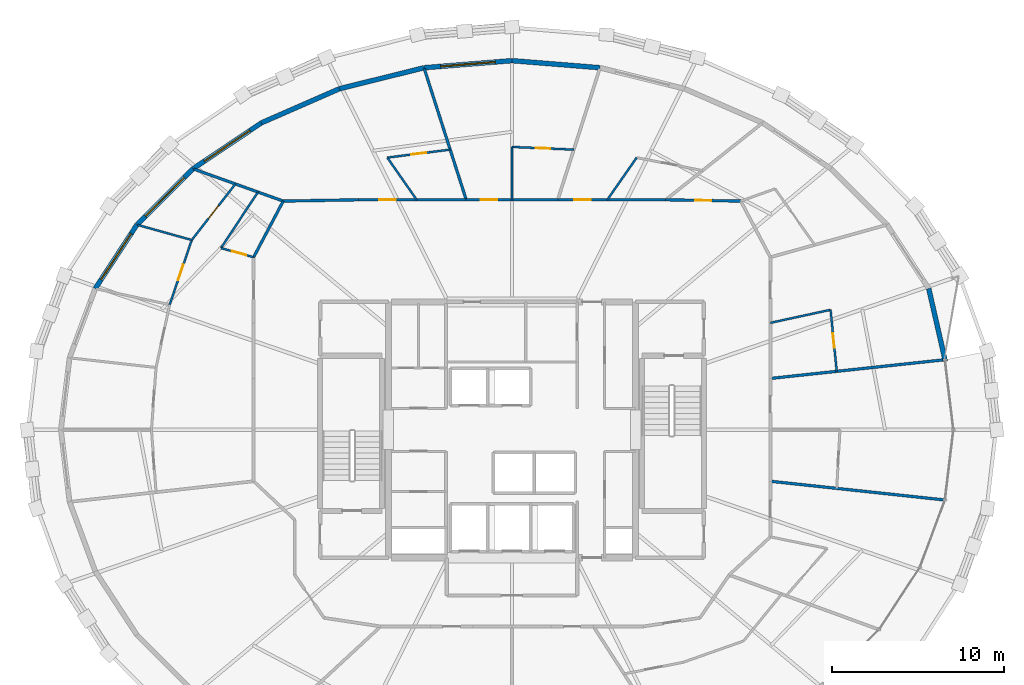
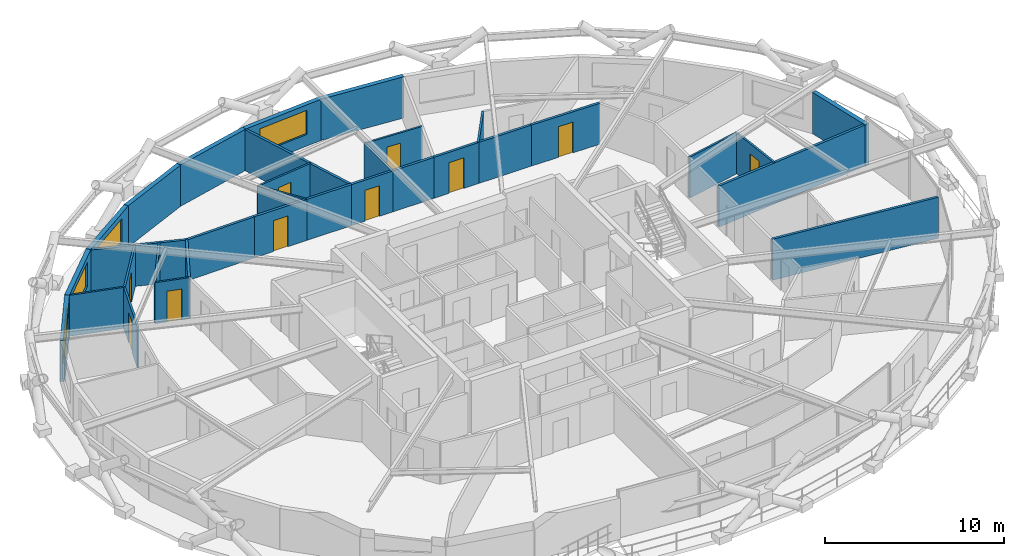
# One storey, part 17 of 19: 33 walls, 10 doors, 4 windows, 14 openings.
"""IFC4 building model written with IfcOpenShell, lengths in metres."""

from ifc_helpers import new_model, si_unit, direction, frame, frame_2d, origin, place, context, subcontext, project, spatial, rectangle, extrude, material, layer, layer_set, type_object, element, fill, save


model = new_model("IFC4")

# Units and contexts
model_context = context("Model", 3, precision=1e-05, world=origin(), true_north=direction((0.0, 1.0)))
body_context = subcontext(model_context, "Body", "Model", "MODEL_VIEW")
ifc_project = project(units=[si_unit("LENGTHUNIT", "METRE"), si_unit("AREAUNIT", "SQUARE_METRE"), si_unit("VOLUMEUNIT", "CUBIC_METRE"), si_unit("PLANEANGLEUNIT", "RADIAN"), si_unit("MASSUNIT", "GRAM", prefix="KILO")], contexts=[model_context])

# Site, building, storey
site_placement = place(None, origin())
site = spatial("IfcSite", under=ifc_project, at=site_placement, CompositionType="ELEMENT")
building_placement = place(site_placement, origin())
building = spatial("IfcBuilding", under=site, at=building_placement, Name="Veldorina Hangang Commons", CompositionType="ELEMENT")
storey_placement = place(building_placement, frame((0.0, 0.0, 156.800048828125)))
storey = spatial("IfcBuildingStorey", under=building, at=storey_placement, Name="L40", CompositionType="ELEMENT", Elevation=156.800048828125)

# Walls
ifc_material_1 = material(Name="Stone Roman Travertine", Category="masonry")
ifc_layer_1 = layer(ifc_material_1, 0.280029296875)
ifc_layer_set_1 = layer_set([ifc_layer_1], Name="Stone Roman Travertine")
wall_type_1 = type_object("IfcWallType", Name="EW-TRAV-280", PredefinedType="STANDARD", material=ifc_layer_set_1)
wall_1_placement = place(storey_placement, frame((57.2412109375, 27.996337890625, 0.0), z_axis=(0.0, 0.0, 1.0), x_axis=(-0.222546928421, 0.97492197875, 0.0)))
element("IfcWall", 1, at=wall_1_placement, inside=storey, type_object=wall_type_1, Name="L40 travertine facade wall 01", PredefinedType="STANDARD", context=body_context, shape_type="SweptSolid", body=[
    extrude(rectangle(XDim=4.342041015625, YDim=0.280029296875, at=frame_2d((2.1708984375, 0.0))), origin(), (0.0, 0.0, 1.0), 2.820068359375),
])
wall_2_placement = place(storey_placement, frame((37.1259765625, 45.09130859375, 0.0), z_axis=(0.0, 0.0, 1.0), x_axis=(-0.996768616091, 0.080326371615, 0.0)))
element("IfcWall", 2, at=wall_2_placement, inside=storey, type_object=wall_type_1, Name="L40 travertine facade wall 07", PredefinedType="STANDARD", context=body_context, shape_type="SweptSolid", body=[
    extrude(rectangle(XDim=5.142578125, YDim=0.280029296875, at=frame_2d((2.5712890625, 0.0))), origin(), (0.0, 0.0, 1.0), 2.820068359375),
])

# Wall, opening, window
wall_3_placement = place(storey_placement, frame((32.0, 45.50439453125, 0.0), z_axis=(0.0, 0.0, 1.0), x_axis=(-0.996768616091, -0.080326371615, 0.0)))
wall_3 = element("IfcWall", 3, at=wall_3_placement, inside=storey, type_object=wall_type_1, Name="L40 travertine facade wall 08", PredefinedType="STANDARD", context=body_context, shape_type="SweptSolid", body=[
    extrude(rectangle(XDim=5.142578125, YDim=0.280029296875, at=frame_2d((2.5712890625, 0.0))), origin(), (0.0, 0.0, 1.0), 2.820068359375),
])
opening_1_placement = place(wall_3_placement, frame((0.97119140625, 0.0, 0.800048828125)))
opening_1 = element("IfcOpeningElement", 4, at=opening_1_placement, cuts=wall_3, Name="Opening W-01", PredefinedType="OPENING", context=body_context, shape_type="SweptSolid", body=[
    extrude(rectangle(XDim=3.199951171875, YDim=1.64990234375, at=frame_2d((1.60009765625, 0.824951171875))), frame((0.0, 0.14990234375, 0.0), z_axis=(0.0, -1.0, 0.0), x_axis=(1.0, 0.0, 0.0)), (0.0, 0.0, 1.0), 0.300048828125),
])
ifc_material_2 = material(Name="Glass Low-E Triple IGU", Category="glass")
window_type = type_object("IfcWindowType", Name="WIN-TWR-3200", PartitioningType="SINGLE_PANEL", PredefinedType="WINDOW", material=ifc_material_2)
window_1_placement = place(opening_1_placement, origin())
window_1 = element("IfcWindow", 5, at=window_1_placement, inside=storey, type_object=window_type, Name="L40 facade window 08", OverallHeight=1.64990234375, OverallWidth=3.199951171875, PartitioningType="SINGLE_PANEL", PredefinedType="WINDOW", context=body_context, shape_type="SweptSolid", body=[
    extrude(rectangle(XDim=3.199951171875, YDim=1.64990234375, at=frame_2d((1.60009765625, 0.824951171875))), frame((0.0, 0.030029296875, 0.0), z_axis=(0.0, -1.0, 0.0), x_axis=(1.0, 0.0, 0.0)), (0.0, 0.0, 1.0), 0.06005859375),
])
fill(opening_1, window_1)

# Walls
wall_4_placement = place(storey_placement, frame((26.8740234375, 45.09130859375, 0.0), z_axis=(0.0, 0.0, 1.0), x_axis=(-0.970528667517, -0.240985695689, 0.0)))
element("IfcWall", 6, at=wall_4_placement, inside=storey, type_object=wall_type_1, Name="L40 travertine facade wall 09", PredefinedType="STANDARD", context=body_context, shape_type="SweptSolid", body=[
    extrude(rectangle(XDim=5.07861328125, YDim=0.280029296875, at=frame_2d((2.539306640625, 0.0))), origin(), (0.0, 0.0, 1.0), 2.820068359375),
])
wall_5_placement = place(storey_placement, frame((21.945068359375, 43.867431640625, 0.0), z_axis=(0.0, 0.0, 1.0), x_axis=(-0.916185584373, -0.400754257603, 0.0)))
element("IfcWall", 7, at=wall_5_placement, inside=storey, type_object=wall_type_1, Name="L40 travertine facade wall 10", PredefinedType="STANDARD", context=body_context, shape_type="SweptSolid", body=[
    extrude(rectangle(XDim=4.958251953125, YDim=0.280029296875, at=frame_2d((2.47900390625, 0.0))), origin(), (0.0, 0.0, 1.0), 2.820068359375),
])

# Wall, opening, window
wall_6_placement = place(storey_placement, frame((17.40234375, 41.88037109375, 0.0), z_axis=(0.0, 0.0, 1.0), x_axis=(-0.830095249601, -0.557621624931, 0.0)))
wall_6 = element("IfcWall", 8, at=wall_6_placement, inside=storey, type_object=wall_type_1, Name="L40 travertine facade wall 11", PredefinedType="STANDARD", context=body_context, shape_type="SweptSolid", body=[
    extrude(rectangle(XDim=4.79638671875, YDim=0.280029296875, at=frame_2d((2.398193359375, 0.0))), origin(), (0.0, 0.0, 1.0), 2.820068359375),
])
opening_2_placement = place(wall_6_placement, frame((0.798095703125, 0.0, 0.800048828125)))
opening_2 = element("IfcOpeningElement", 9, at=opening_2_placement, cuts=wall_6, Name="Opening W-01", PredefinedType="OPENING", context=body_context, shape_type="SweptSolid", body=[
    extrude(rectangle(XDim=3.199951171875, YDim=1.64990234375, at=frame_2d((1.60009765625, 0.824951171875))), frame((0.0, 0.14990234375, 0.0), z_axis=(0.0, -1.0, 0.0), x_axis=(1.0, 0.0, 0.0)), (0.0, 0.0, 1.0), 0.300048828125),
])
window_2_placement = place(opening_2_placement, origin())
window_2 = element("IfcWindow", 10, at=window_2_placement, inside=storey, type_object=window_type, Name="L40 facade window 11", OverallHeight=1.64990234375, OverallWidth=3.199951171875, PartitioningType="SINGLE_PANEL", PredefinedType="WINDOW", context=body_context, shape_type="SweptSolid", body=[
    extrude(rectangle(XDim=3.199951171875, YDim=1.64990234375, at=frame_2d((1.60009765625, 0.824951171875))), frame((0.0, 0.030029296875, 0.0), z_axis=(0.0, -1.0, 0.0), x_axis=(1.0, 0.0, 0.0)), (0.0, 0.0, 1.0), 0.06005859375),
])
fill(opening_2, window_2)

wall_7_placement = place(storey_placement, frame((13.4208984375, 39.205810546875, 0.0), z_axis=(0.0, 0.0, 1.0), x_axis=(-0.708084852303, -0.706127355326, 0.0)))
wall_7 = element("IfcWall", 11, at=wall_7_placement, inside=storey, type_object=wall_type_1, Name="L40 travertine facade wall 12", PredefinedType="STANDARD", context=body_context, shape_type="SweptSolid", body=[
    extrude(rectangle(XDim=4.61474609375, YDim=0.280029296875, at=frame_2d((2.307373046875, 0.0))), origin(), (0.0, 0.0, 1.0), 2.820068359375),
])
opening_3_placement = place(wall_7_placement, frame((0.70751953125, 0.0, 0.800048828125)))
opening_3 = element("IfcOpeningElement", 12, at=opening_3_placement, cuts=wall_7, Name="Opening W-01", PredefinedType="OPENING", context=body_context, shape_type="SweptSolid", body=[
    extrude(rectangle(XDim=3.199951171875, YDim=1.64990234375, at=frame_2d((1.60009765625, 0.824951171875))), frame((0.0, 0.14990234375, 0.0), z_axis=(0.0, -1.0, 0.0), x_axis=(1.0, 0.0, 0.0)), (0.0, 0.0, 1.0), 0.300048828125),
])
window_3_placement = place(opening_3_placement, origin())
window_3 = element("IfcWindow", 13, at=window_3_placement, inside=storey, type_object=window_type, Name="L40 facade window 12", OverallHeight=1.64990234375, OverallWidth=3.199951171875, PartitioningType="SINGLE_PANEL", PredefinedType="WINDOW", context=body_context, shape_type="SweptSolid", body=[
    extrude(rectangle(XDim=3.199951171875, YDim=1.64990234375, at=frame_2d((1.60009765625, 0.824951171875))), frame((0.0, 0.030029296875, 0.0), z_axis=(0.0, -1.0, 0.0), x_axis=(1.0, 0.0, 0.0)), (0.0, 0.0, 1.0), 0.06005859375),
])
fill(opening_3, window_3)

wall_8_placement = place(storey_placement, frame((10.1533203125, 35.947265625, 0.0), z_axis=(0.0, 0.0, 1.0), x_axis=(-0.546834521775, -0.83724070959, 0.0)))
wall_8 = element("IfcWall", 14, at=wall_8_placement, inside=storey, type_object=wall_type_1, Name="L40 travertine facade wall 13", PredefinedType="STANDARD", context=body_context, shape_type="SweptSolid", body=[
    extrude(rectangle(XDim=4.4404296875, YDim=0.280029296875, at=frame_2d((2.22021484375, 0.0))), origin(), (0.0, 0.0, 1.0), 2.820068359375),
])
opening_4_placement = place(wall_8_placement, frame((0.6201171875, 0.0, 0.800048828125)))
opening_4 = element("IfcOpeningElement", 15, at=opening_4_placement, cuts=wall_8, Name="Opening W-01", PredefinedType="OPENING", context=body_context, shape_type="SweptSolid", body=[
    extrude(rectangle(XDim=3.199951171875, YDim=1.64990234375, at=frame_2d((1.60009765625, 0.824951171875))), frame((0.0, 0.14990234375, 0.0), z_axis=(0.0, -1.0, 0.0), x_axis=(1.0, 0.0, 0.0)), (0.0, 0.0, 1.0), 0.300048828125),
])
window_4_placement = place(opening_4_placement, origin())
window_4 = element("IfcWindow", 16, at=window_4_placement, inside=storey, type_object=window_type, Name="L40 facade window 13", OverallHeight=1.64990234375, OverallWidth=3.199951171875, PartitioningType="SINGLE_PANEL", PredefinedType="WINDOW", context=body_context, shape_type="SweptSolid", body=[
    extrude(rectangle(XDim=3.199951171875, YDim=1.64990234375, at=frame_2d((1.60009765625, 0.824951171875))), frame((0.0, 0.030029296875, 0.0), z_axis=(0.0, -1.0, 0.0), x_axis=(1.0, 0.0, 0.0)), (0.0, 0.0, 1.0), 0.06005859375),
])
fill(opening_4, window_4)

# Wall, opening, door
ifc_material_3 = material(Name="Gypsum Fire-Rated Twin Stud Wall", Category="gypsum")
ifc_layer_2 = layer(ifc_material_3, 0.159912109375)
ifc_layer_set_2 = layer_set([ifc_layer_2], Name="Gypsum Fire-Rated Twin Stud Wall")
wall_type_2 = type_object("IfcWallType", Name="WL-FIRE-160", PredefinedType="SOLIDWALL", material=ifc_layer_set_2)
wall_9_placement = place(storey_placement, frame((45.324951171875, 37.324951171875, 0.0), z_axis=(0.0, 0.0, 1.0), x_axis=(-0.999853038912, 0.017143528788, 0.0)))
wall_9 = element("IfcWall", 17, at=wall_9_placement, inside=storey, type_object=wall_type_2, Name="L40 U-corridor outer wall 04 052", PredefinedType="SOLIDWALL", context=body_context, shape_type="SweptSolid", body=[
    extrude(rectangle(XDim=4.3720703125, YDim=0.159912109375, at=frame_2d((2.18603515625, 0.0))), origin(), (0.0, 0.0, 1.0), 2.800048828125),
])
opening_5_placement = place(wall_9_placement, frame((1.7109375, 0.0, 0.0)))
opening_5 = element("IfcOpeningElement", 18, at=opening_5_placement, cuts=wall_9, Name="Opening D-03", PredefinedType="OPENING", context=body_context, shape_type="SweptSolid", body=[
    extrude(rectangle(XDim=0.949951171875, YDim=2.10009765625, at=frame_2d((0.47509765625, 1.050048828125))), frame((0.0, 0.08984375, 0.0), z_axis=(0.0, -1.0, 0.0), x_axis=(1.0, 0.0, 0.0)), (0.0, 0.0, 1.0), 0.179931640625),
])
ifc_material_4 = material(Name="Timber Fire-Rated Entrance Core", Category="wood")
door_type_1 = type_object("IfcDoorType", Name="DR-UNIT-950", OperationType="SINGLE_SWING_RIGHT", PredefinedType="DOOR", material=ifc_material_4)
door_1_placement = place(opening_5_placement, origin())
door_1 = element("IfcDoor", 19, at=door_1_placement, inside=storey, type_object=door_type_1, Name="L40 Studio 5 entrance door 029", OperationType="SINGLE_SWING_LEFT", OverallHeight=2.10009765625, OverallWidth=0.949951171875, PredefinedType="DOOR", context=body_context, shape_type="SweptSolid", body=[
    extrude(rectangle(XDim=0.949951171875, YDim=2.10009765625, at=frame_2d((0.47509765625, 1.050048828125))), frame((0.0, 0.02490234375, 0.0), z_axis=(0.0, -1.0, 0.0), x_axis=(1.0, 0.0, 0.0)), (0.0, 0.0, 1.0), 0.050048828125),
])
fill(opening_5, door_1)

# Wall
wall_10_placement = place(storey_placement, frame((40.95361328125, 37.39990234375, 0.0), z_axis=(0.0, 0.0, 1.0), x_axis=(-1.0, 0.0, 0.0)))
element("IfcWall", 20, at=wall_10_placement, inside=storey, type_object=wall_type_2, Name="L40 U-corridor outer wall 05 053", PredefinedType="SOLIDWALL", context=body_context, shape_type="SweptSolid", body=[
    extrude(rectangle(XDim=3.403076171875, YDim=0.159912109375, at=frame_2d((1.70166015625, 0.0))), origin(), (0.0, 0.0, 1.0), 2.800048828125),
])

# Wall, opening, door
wall_11_placement = place(storey_placement, frame((37.550537109375, 37.39990234375, 0.0), z_axis=(0.0, 0.0, 1.0), x_axis=(-1.0, 0.0, 0.0)))
wall_11 = element("IfcWall", 21, at=wall_11_placement, inside=storey, type_object=wall_type_2, Name="L40 U-corridor outer wall 06 054", PredefinedType="SOLIDWALL", context=body_context, shape_type="SweptSolid", body=[
    extrude(rectangle(XDim=2.88525390625, YDim=0.159912109375, at=frame_2d((1.442626953125, 0.0))), origin(), (0.0, 0.0, 1.0), 2.800048828125),
])
opening_6_placement = place(wall_11_placement, frame((0.967529296875, 0.0, 0.0)))
opening_6 = element("IfcOpeningElement", 22, at=opening_6_placement, cuts=wall_11, Name="Opening D-03", PredefinedType="OPENING", context=body_context, shape_type="SweptSolid", body=[
    extrude(rectangle(XDim=0.949951171875, YDim=2.10009765625, at=frame_2d((0.47509765625, 1.050048828125))), frame((0.0, 0.08984375, 0.0), z_axis=(0.0, -1.0, 0.0), x_axis=(1.0, 0.0, 0.0)), (0.0, 0.0, 1.0), 0.179931640625),
])
door_2_placement = place(opening_6_placement, origin())
door_2 = element("IfcDoor", 23, at=door_2_placement, inside=storey, type_object=door_type_1, Name="L40 Studio 6 entrance door 031", OperationType="SINGLE_SWING_LEFT", OverallHeight=2.10009765625, OverallWidth=0.949951171875, PredefinedType="DOOR", context=body_context, shape_type="SweptSolid", body=[
    extrude(rectangle(XDim=0.949951171875, YDim=2.10009765625, at=frame_2d((0.47509765625, 1.050048828125))), frame((0.0, 0.02490234375, 0.0), z_axis=(0.0, -1.0, 0.0), x_axis=(1.0, 0.0, 0.0)), (0.0, 0.0, 1.0), 0.050048828125),
])
fill(opening_6, door_2)

# Wall
wall_12_placement = place(storey_placement, frame((34.665283203125, 37.39990234375, 0.0), z_axis=(0.0, 0.0, 1.0), x_axis=(-1.0, 0.0, 0.0)))
element("IfcWall", 24, at=wall_12_placement, inside=storey, type_object=wall_type_2, Name="L40 U-corridor outer wall 07 055", PredefinedType="SOLIDWALL", context=body_context, shape_type="SweptSolid", body=[
    extrude(rectangle(XDim=2.665283203125, YDim=0.159912109375, at=frame_2d((1.33251953125, 0.0))), origin(), (0.0, 0.0, 1.0), 2.800048828125),
])

# Wall, opening, door
wall_13_placement = place(storey_placement, frame((32.0, 37.39990234375, 0.0), z_axis=(0.0, 0.0, 1.0), x_axis=(-1.0, 0.0, 0.0)))
wall_13 = element("IfcWall", 25, at=wall_13_placement, inside=storey, type_object=wall_type_2, Name="L40 U-corridor outer wall 08 056", PredefinedType="SOLIDWALL", context=body_context, shape_type="SweptSolid", body=[
    extrude(rectangle(XDim=2.665283203125, YDim=0.159912109375, at=frame_2d((1.33251953125, 0.0))), origin(), (0.0, 0.0, 1.0), 2.800048828125),
])
opening_7_placement = place(wall_13_placement, frame((0.857666015625, 0.0, 0.0)))
opening_7 = element("IfcOpeningElement", 26, at=opening_7_placement, cuts=wall_13, Name="Opening D-03", PredefinedType="OPENING", context=body_context, shape_type="SweptSolid", body=[
    extrude(rectangle(XDim=0.949951171875, YDim=2.10009765625, at=frame_2d((0.47509765625, 1.050048828125))), frame((0.0, 0.08984375, 0.0), z_axis=(0.0, -1.0, 0.0), x_axis=(1.0, 0.0, 0.0)), (0.0, 0.0, 1.0), 0.179931640625),
])
door_3_placement = place(opening_7_placement, origin())
door_3 = element("IfcDoor", 27, at=door_3_placement, inside=storey, type_object=door_type_1, Name="L40 Studio 7 entrance door 033", OperationType="SINGLE_SWING_LEFT", OverallHeight=2.10009765625, OverallWidth=0.949951171875, PredefinedType="DOOR", context=body_context, shape_type="SweptSolid", body=[
    extrude(rectangle(XDim=0.949951171875, YDim=2.10009765625, at=frame_2d((0.47509765625, 1.050048828125))), frame((0.0, 0.02490234375, 0.0), z_axis=(0.0, -1.0, 0.0), x_axis=(1.0, 0.0, 0.0)), (0.0, 0.0, 1.0), 0.050048828125),
])
fill(opening_7, door_3)

# Wall
wall_14_placement = place(storey_placement, frame((29.334716796875, 37.39990234375, 0.0), z_axis=(0.0, 0.0, 1.0), x_axis=(-1.0, 0.0, 0.0)))
element("IfcWall", 28, at=wall_14_placement, inside=storey, type_object=wall_type_2, Name="L40 U-corridor outer wall 09 057", PredefinedType="SOLIDWALL", context=body_context, shape_type="SweptSolid", body=[
    extrude(rectangle(XDim=2.88525390625, YDim=0.159912109375, at=frame_2d((1.442626953125, 0.0))), origin(), (0.0, 0.0, 1.0), 2.800048828125),
])

# Wall, opening, door
wall_15_placement = place(storey_placement, frame((26.449462890625, 37.39990234375, 0.0), z_axis=(0.0, 0.0, 1.0), x_axis=(-1.0, 0.0, 0.0)))
wall_15 = element("IfcWall", 29, at=wall_15_placement, inside=storey, type_object=wall_type_2, Name="L40 U-corridor outer wall 10 058", PredefinedType="SOLIDWALL", context=body_context, shape_type="SweptSolid", body=[
    extrude(rectangle(XDim=3.403076171875, YDim=0.159912109375, at=frame_2d((1.70166015625, 0.0))), origin(), (0.0, 0.0, 1.0), 2.800048828125),
])
opening_8_placement = place(wall_15_placement, frame((1.2265625, 0.0, 0.0)))
opening_8 = element("IfcOpeningElement", 30, at=opening_8_placement, cuts=wall_15, Name="Opening D-03", PredefinedType="OPENING", context=body_context, shape_type="SweptSolid", body=[
    extrude(rectangle(XDim=0.949951171875, YDim=2.10009765625, at=frame_2d((0.47509765625, 1.050048828125))), frame((0.0, 0.08984375, 0.0), z_axis=(0.0, -1.0, 0.0), x_axis=(1.0, 0.0, 0.0)), (0.0, 0.0, 1.0), 0.179931640625),
])
door_4_placement = place(opening_8_placement, origin())
door_4 = element("IfcDoor", 31, at=door_4_placement, inside=storey, type_object=door_type_1, Name="L40 Studio 8 entrance door 035", OperationType="SINGLE_SWING_LEFT", OverallHeight=2.10009765625, OverallWidth=0.949951171875, PredefinedType="DOOR", context=body_context, shape_type="SweptSolid", body=[
    extrude(rectangle(XDim=0.949951171875, YDim=2.10009765625, at=frame_2d((0.47509765625, 1.050048828125))), frame((0.0, 0.02490234375, 0.0), z_axis=(0.0, -1.0, 0.0), x_axis=(1.0, 0.0, 0.0)), (0.0, 0.0, 1.0), 0.050048828125),
])
fill(opening_8, door_4)

# Walls
wall_16_placement = place(storey_placement, frame((23.04638671875, 37.39990234375, 0.0), z_axis=(0.0, 0.0, 1.0), x_axis=(-0.999853038912, -0.017143528788, 0.0)))
element("IfcWall", 32, at=wall_16_placement, inside=storey, type_object=wall_type_2, Name="L40 U-corridor outer wall 11 059", PredefinedType="SOLIDWALL", context=body_context, shape_type="SweptSolid", body=[
    extrude(rectangle(XDim=4.3720703125, YDim=0.159912109375, at=frame_2d((2.18603515625, 0.0))), origin(), (0.0, 0.0, 1.0), 2.800048828125),
])
wall_17_placement = place(storey_placement, frame((18.675048828125, 37.324951171875, 0.0), z_axis=(0.0, 0.0, 1.0), x_axis=(-0.466737093093, -0.884396113702, 0.0)))
element("IfcWall", 33, at=wall_17_placement, inside=storey, type_object=wall_type_2, Name="L40 U-corridor outer wall 12 060", PredefinedType="SOLIDWALL", context=body_context, shape_type="SweptSolid", body=[
    extrude(rectangle(XDim=3.696044921875, YDim=0.159912109375, at=frame_2d((1.84814453125, 0.0))), origin(), (0.0, 0.0, 1.0), 2.800048828125),
])
for number, where, z_axis, x_axis, name in (
    (34, (47.050048828125, 21.00634765625, 0.0), (0.0, 0.0, 1.0), (0.994280445997, -0.106800724287, 0.0), "L40 Unit party wall 31 087"),
    (35, (47.050048828125, 26.99365234375, 0.0), (0.0, 0.0, 1.0), (0.994280445997, 0.106800724287, 0.0), "L40 Unit party wall 01 090"),
):
    element("IfcWall", number, at=place(storey_placement, frame(where, z_axis=z_axis, x_axis=x_axis)), inside=storey, type_object=wall_type_2, Name=name, PredefinedType="SOLIDWALL", context=body_context, shape_type="SweptSolid", body=[
        extrude(rectangle(XDim=10.17919921875, YDim=0.159912109375, at=frame_2d((5.089599609375, 0.0))), origin(), (0.0, 0.0, 1.0), 2.800048828125),
    ])
wall_18_placement = place(storey_placement, frame((29.334716796875, 37.39990234375, 0.0), z_axis=(0.0, 0.0, 1.0), x_axis=(-0.304723848151, 0.952440746907, 0.0)))
element("IfcWall", 36, at=wall_18_placement, inside=storey, type_object=wall_type_2, Name="L40 Unit party wall 09 102", PredefinedType="SOLIDWALL", context=body_context, shape_type="SweptSolid", body=[
    extrude(rectangle(XDim=8.025390625, YDim=0.159912109375, at=frame_2d((4.0126953125, 0.0))), origin(), (0.0, 0.0, 1.0), 2.800048828125),
])
wall_19_placement = place(storey_placement, frame((18.675048828125, 37.324951171875, 0.0), z_axis=(0.0, 0.0, 1.0), x_axis=(-0.941491971832, 0.337035409084, 0.0)))
element("IfcWall", 37, at=wall_19_placement, inside=storey, type_object=wall_type_2, Name="L40 Unit party wall 12 105", PredefinedType="SOLIDWALL", context=body_context, shape_type="SweptSolid", body=[
    extrude(rectangle(XDim=5.530517578125, YDim=0.159912109375, at=frame_2d((2.76513671875, 0.0))), origin(), (0.0, 0.0, 1.0), 2.800048828125),
])

# Wall, opening, door
ifc_material_5 = material(Name="Gypsum Acoustic Stud Partition", Category="gypsum")
ifc_layer_3 = layer(ifc_material_5, 0.1201171875)
ifc_layer_set_3 = layer_set([ifc_layer_3], Name="Gypsum Acoustic Stud Partition")
wall_type_3 = type_object("IfcWallType", Name="WL-PART-120", PredefinedType="PARTITIONING", material=ifc_layer_set_3)
wall_20_placement = place(storey_placement, frame((50.914794921875, 27.40869140625, 0.0), z_axis=(0.0, 0.0, 1.0), x_axis=(-0.099785610451, 0.995008960737, 0.0)))
wall_20 = element("IfcWall", 38, at=wall_20_placement, inside=storey, type_object=wall_type_3, Name="L40 Studio 4 bath front wall 091", PredefinedType="PARTITIONING", context=body_context, shape_type="SweptSolid", body=[
    extrude(rectangle(XDim=3.6015625, YDim=0.1201171875, at=frame_2d((1.80078125, 0.0))), origin(), (0.0, 0.0, 1.0), 2.800048828125),
])
opening_9_placement = place(wall_20_placement, frame((1.370849609375, 0.0, 0.0)))
opening_9 = element("IfcOpeningElement", 39, at=opening_9_placement, cuts=wall_20, Name="Opening D-01", PredefinedType="OPENING", context=body_context, shape_type="SweptSolid", body=[
    extrude(rectangle(XDim=0.860107421875, YDim=2.10009765625, at=frame_2d((0.43017578125, 1.050048828125))), frame((0.0, 0.070068359375, 0.0), z_axis=(0.0, -1.0, 0.0), x_axis=(1.0, 0.0, 0.0)), (0.0, 0.0, 1.0), 0.14013671875),
])
ifc_material_6 = material(Name="Timber Moisture-Resistant Core", Category="wood")
door_type_2 = type_object("IfcDoorType", Name="DR-WET-860", OperationType="SINGLE_SWING_LEFT", PredefinedType="DOOR", material=ifc_material_6)
door_5_placement = place(opening_9_placement, origin())
door_5 = element("IfcDoor", 40, at=door_5_placement, inside=storey, type_object=door_type_2, Name="L40 Studio 4 bathroom door 026", OperationType="SINGLE_SWING_RIGHT", OverallHeight=2.10009765625, OverallWidth=0.860107421875, PredefinedType="DOOR", context=body_context, shape_type="SweptSolid", body=[
    extrude(rectangle(XDim=0.860107421875, YDim=2.10009765625, at=frame_2d((0.43017578125, 1.050048828125))), frame((0.0, 0.02490234375, 0.0), z_axis=(0.0, -1.0, 0.0), x_axis=(1.0, 0.0, 0.0)), (0.0, 0.0, 1.0), 0.050048828125),
])
fill(opening_9, door_5)

# Walls
wall_21_placement = place(storey_placement, frame((47.050048828125, 30.23388671875, 0.0), z_axis=(0.0, 0.0, 1.0), x_axis=(0.977392118343, 0.211434734613, 0.0)))
element("IfcWall", 41, at=wall_21_placement, inside=storey, type_object=wall_type_3, Name="L40 Studio 4 bath side wall 092", PredefinedType="PARTITIONING", context=body_context, shape_type="SweptSolid", body=[
    extrude(rectangle(XDim=3.58642578125, YDim=0.1201171875, at=frame_2d((1.793212890625, 0.0))), origin(), (0.0, 0.0, 1.0), 2.800048828125),
])
wall_22_placement = place(storey_placement, frame((37.550537109375, 37.39990234375, 0.0), z_axis=(0.0, 0.0, 1.0), x_axis=(0.571496694362, 0.820604367728, 0.0)))
element("IfcWall", 42, at=wall_22_placement, inside=storey, type_object=wall_type_3, Name="L40 Studio 6 bath side wall 098", PredefinedType="PARTITIONING", context=body_context, shape_type="SweptSolid", body=[
    extrude(rectangle(XDim=2.9951171875, YDim=0.1201171875, at=frame_2d((1.49755859375, 0.0))), origin(), (0.0, 0.0, 1.0), 2.800048828125),
])

# Wall, opening, door
wall_23_placement = place(storey_placement, frame((35.600341796875, 40.32275390625, 0.0), z_axis=(0.0, 0.0, 1.0), x_axis=(-0.999050782171, 0.043560700681, 0.0)))
wall_23 = element("IfcWall", 43, at=wall_23_placement, inside=storey, type_object=wall_type_3, Name="L40 Studio 7 bath front wall 100", PredefinedType="PARTITIONING", context=body_context, shape_type="SweptSolid", body=[
    extrude(rectangle(XDim=3.603759765625, YDim=0.1201171875, at=frame_2d((1.8017578125, 0.0))), origin(), (0.0, 0.0, 1.0), 2.800048828125),
])
opening_10_placement = place(wall_23_placement, frame((1.371826171875, 0.0, 0.0)))
opening_10 = element("IfcOpeningElement", 44, at=opening_10_placement, cuts=wall_23, Name="Opening D-01", PredefinedType="OPENING", context=body_context, shape_type="SweptSolid", body=[
    extrude(rectangle(XDim=0.860107421875, YDim=2.10009765625, at=frame_2d((0.43017578125, 1.050048828125))), frame((0.0, 0.070068359375, 0.0), z_axis=(0.0, -1.0, 0.0), x_axis=(1.0, 0.0, 0.0)), (0.0, 0.0, 1.0), 0.14013671875),
])
door_6_placement = place(opening_10_placement, origin())
door_6 = element("IfcDoor", 45, at=door_6_placement, inside=storey, type_object=door_type_2, Name="L40 Studio 7 bathroom door 032", OperationType="SINGLE_SWING_RIGHT", OverallHeight=2.10009765625, OverallWidth=0.860107421875, PredefinedType="DOOR", context=body_context, shape_type="SweptSolid", body=[
    extrude(rectangle(XDim=0.860107421875, YDim=2.10009765625, at=frame_2d((0.43017578125, 1.050048828125))), frame((0.0, 0.02490234375, 0.0), z_axis=(0.0, -1.0, 0.0), x_axis=(1.0, 0.0, 0.0)), (0.0, 0.0, 1.0), 0.050048828125),
])
fill(opening_10, door_6)

# Wall
wall_24_placement = place(storey_placement, frame((32.0, 37.39990234375, 0.0), z_axis=(0.0, 0.0, 1.0), x_axis=(0.0, 1.0, 0.0)))
element("IfcWall", 46, at=wall_24_placement, inside=storey, type_object=wall_type_3, Name="L40 Studio 7 bath side wall 101", PredefinedType="PARTITIONING", context=body_context, shape_type="SweptSolid", body=[
    extrude(rectangle(XDim=3.079833984375, YDim=0.1201171875, at=frame_2d((1.5400390625, 0.0))), origin(), (0.0, 0.0, 1.0), 2.800048828125),
])

# Wall, opening, door
wall_25_placement = place(storey_placement, frame((28.399658203125, 40.32275390625, 0.0), z_axis=(0.0, 0.0, 1.0), x_axis=(-0.9920307114, -0.125996300101, 0.0)))
wall_25 = element("IfcWall", 47, at=wall_25_placement, inside=storey, type_object=wall_type_3, Name="L40 Studio 8 bath front wall 103", PredefinedType="PARTITIONING", context=body_context, shape_type="SweptSolid", body=[
    extrude(rectangle(XDim=3.691162109375, YDim=0.1201171875, at=frame_2d((1.845703125, 0.0))), origin(), (0.0, 0.0, 1.0), 2.800048828125),
])
opening_11_placement = place(wall_25_placement, frame((1.41552734375, 0.0, 0.0)))
opening_11 = element("IfcOpeningElement", 48, at=opening_11_placement, cuts=wall_25, Name="Opening D-01", PredefinedType="OPENING", context=body_context, shape_type="SweptSolid", body=[
    extrude(rectangle(XDim=0.860107421875, YDim=2.10009765625, at=frame_2d((0.43017578125, 1.050048828125))), frame((0.0, 0.070068359375, 0.0), z_axis=(0.0, -1.0, 0.0), x_axis=(1.0, 0.0, 0.0)), (0.0, 0.0, 1.0), 0.14013671875),
])
door_7_placement = place(opening_11_placement, origin())
door_7 = element("IfcDoor", 49, at=door_7_placement, inside=storey, type_object=door_type_2, Name="L40 Studio 8 bathroom door 034", OperationType="SINGLE_SWING_RIGHT", OverallHeight=2.10009765625, OverallWidth=0.860107421875, PredefinedType="DOOR", context=body_context, shape_type="SweptSolid", body=[
    extrude(rectangle(XDim=0.860107421875, YDim=2.10009765625, at=frame_2d((0.43017578125, 1.050048828125))), frame((0.0, 0.02490234375, 0.0), z_axis=(0.0, -1.0, 0.0), x_axis=(1.0, 0.0, 0.0)), (0.0, 0.0, 1.0), 0.050048828125),
])
fill(opening_11, door_7)

# Walls
wall_26_placement = place(storey_placement, frame((26.449462890625, 37.39990234375, 0.0), z_axis=(0.0, 0.0, 1.0), x_axis=(-0.571496694362, 0.820604367728, 0.0)))
element("IfcWall", 50, at=wall_26_placement, inside=storey, type_object=wall_type_3, Name="L40 Studio 8 bath side wall 104", PredefinedType="PARTITIONING", context=body_context, shape_type="SweptSolid", body=[
    extrude(rectangle(XDim=2.9951171875, YDim=0.1201171875, at=frame_2d((1.49755859375, 0.0))), origin(), (0.0, 0.0, 1.0), 2.800048828125),
])
wall_27_placement = place(storey_placement, frame((17.203857421875, 37.851806640625, 0.0), z_axis=(0.0, 0.0, 1.0), x_axis=(-0.551082022109, -0.834451079997, 0.0)))
element("IfcWall", 51, at=wall_27_placement, inside=storey, type_object=wall_type_3, Name="L40 Cluster 9 bath front wall 106", PredefinedType="PARTITIONING", context=body_context, shape_type="SweptSolid", body=[
    extrude(rectangle(XDim=3.9140625, YDim=0.1201171875, at=frame_2d((1.95703125, 0.0))), origin(), (0.0, 0.0, 1.0), 2.800048828125),
])

# Wall, opening, door
wall_28_placement = place(storey_placement, frame((16.949951171875, 34.05615234375, 0.0), z_axis=(0.0, 0.0, 1.0), x_axis=(-0.963399180879, 0.268070920247, 0.0)))
wall_28 = element("IfcWall", 52, at=wall_28_placement, inside=storey, type_object=wall_type_3, Name="L40 Cluster 9 bath side wall 107", PredefinedType="PARTITIONING", context=body_context, shape_type="SweptSolid", body=[
    extrude(rectangle(XDim=1.975341796875, YDim=0.1201171875, at=frame_2d((0.98779296875, 0.0))), origin(), (0.0, 0.0, 1.0), 2.800048828125),
])
opening_12_placement = place(wall_28_placement, frame((0.43994140625, 0.0, 0.0)))
opening_12 = element("IfcOpeningElement", 53, at=opening_12_placement, cuts=wall_28, Name="Opening D-01", PredefinedType="OPENING", context=body_context, shape_type="SweptSolid", body=[
    extrude(rectangle(XDim=0.860107421875, YDim=2.10009765625, at=frame_2d((0.43017578125, 1.050048828125))), frame((0.0, 0.070068359375, 0.0), z_axis=(0.0, -1.0, 0.0), x_axis=(1.0, 0.0, 0.0)), (0.0, 0.0, 1.0), 0.14013671875),
])
door_8_placement = place(opening_12_placement, origin())
door_8 = element("IfcDoor", 54, at=door_8_placement, inside=storey, type_object=door_type_2, Name="L40 Cluster 9 shared bathroom door 036", OperationType="SINGLE_SWING_RIGHT", OverallHeight=2.10009765625, OverallWidth=0.860107421875, PredefinedType="DOOR", context=body_context, shape_type="SweptSolid", body=[
    extrude(rectangle(XDim=0.860107421875, YDim=2.10009765625, at=frame_2d((0.43017578125, 1.050048828125))), frame((0.0, 0.02490234375, 0.0), z_axis=(0.0, -1.0, 0.0), x_axis=(1.0, 0.0, 0.0)), (0.0, 0.0, 1.0), 0.050048828125),
])
fill(opening_12, door_8)

wall_29_placement = place(storey_placement, frame((15.890380859375, 38.322021484375, 0.0), z_axis=(0.0, 0.0, 1.0), x_axis=(-0.614589970431, -0.788846733051, 0.0)))
wall_29 = element("IfcWall", 55, at=wall_29_placement, inside=storey, type_object=wall_type_3, Name="L40 Cluster 9 bed 1 front wall 108", PredefinedType="PARTITIONING", context=body_context, shape_type="SweptSolid", body=[
    extrude(rectangle(XDim=4.13720703125, YDim=0.1201171875, at=frame_2d((2.068603515625, 0.0))), origin(), (0.0, 0.0, 1.0), 2.800048828125),
])
opening_13_placement = place(wall_29_placement, frame((1.593505859375, 0.0, 0.0)))
opening_13 = element("IfcOpeningElement", 56, at=opening_13_placement, cuts=wall_29, Name="Opening D-02", PredefinedType="OPENING", context=body_context, shape_type="SweptSolid", body=[
    extrude(rectangle(XDim=0.949951171875, YDim=2.10009765625, at=frame_2d((0.47509765625, 1.050048828125))), frame((0.0, 0.070068359375, 0.0), z_axis=(0.0, -1.0, 0.0), x_axis=(1.0, 0.0, 0.0)), (0.0, 0.0, 1.0), 0.14013671875),
])
ifc_material_7 = material(Name="Timber Solid Core Acoustic", Category="wood")
door_type_3 = type_object("IfcDoorType", Name="DR-INT-950", OperationType="SINGLE_SWING_LEFT", PredefinedType="DOOR", material=ifc_material_7)
door_9_placement = place(opening_13_placement, origin())
door_9 = element("IfcDoor", 57, at=door_9_placement, inside=storey, type_object=door_type_3, Name="L40 Cluster 9 bed 1 door 038", OperationType="SINGLE_SWING_RIGHT", OverallHeight=2.10009765625, OverallWidth=0.949951171875, PredefinedType="DOOR", context=body_context, shape_type="SweptSolid", body=[
    extrude(rectangle(XDim=0.949951171875, YDim=2.10009765625, at=frame_2d((0.47509765625, 1.050048828125))), frame((0.0, 0.02490234375, 0.0), z_axis=(0.0, -1.0, 0.0), x_axis=(1.0, 0.0, 0.0)), (0.0, 0.0, 1.0), 0.050048828125),
])
fill(opening_13, door_9)

wall_30_placement = place(storey_placement, frame((13.34765625, 35.058349609375, 0.0), z_axis=(0.0, 0.0, 1.0), x_axis=(-0.323284519491, -0.946301812033, 0.0)))
wall_30 = element("IfcWall", 58, at=wall_30_placement, inside=storey, type_object=wall_type_3, Name="L40 Cluster 9 bed 2 front wall 109", PredefinedType="PARTITIONING", context=body_context, shape_type="SweptSolid", body=[
    extrude(rectangle(XDim=3.980712890625, YDim=0.1201171875, at=frame_2d((1.990234375, 0.0))), origin(), (0.0, 0.0, 1.0), 2.800048828125),
])
opening_14_placement = place(wall_30_placement, frame((1.515380859375, 0.0, 0.0)))
opening_14 = element("IfcOpeningElement", 59, at=opening_14_placement, cuts=wall_30, Name="Opening D-02", PredefinedType="OPENING", context=body_context, shape_type="SweptSolid", body=[
    extrude(rectangle(XDim=0.949951171875, YDim=2.10009765625, at=frame_2d((0.47509765625, 1.050048828125))), frame((0.0, 0.070068359375, 0.0), z_axis=(0.0, -1.0, 0.0), x_axis=(1.0, 0.0, 0.0)), (0.0, 0.0, 1.0), 0.14013671875),
])
door_10_placement = place(opening_14_placement, origin())
door_10 = element("IfcDoor", 60, at=door_10_placement, inside=storey, type_object=door_type_3, Name="L40 Cluster 9 bed 2 door 039", OperationType="SINGLE_SWING_LEFT", OverallHeight=2.10009765625, OverallWidth=0.949951171875, PredefinedType="DOOR", context=body_context, shape_type="SweptSolid", body=[
    extrude(rectangle(XDim=0.949951171875, YDim=2.10009765625, at=frame_2d((0.47509765625, 1.050048828125))), frame((0.0, 0.02490234375, 0.0), z_axis=(0.0, -1.0, 0.0), x_axis=(1.0, 0.0, 0.0)), (0.0, 0.0, 1.0), 0.050048828125),
])
fill(opening_14, door_10)

# Wall
wall_31_placement = place(storey_placement, frame((13.34765625, 35.058349609375, 0.0), z_axis=(0.0, 0.0, 1.0), x_axis=(-0.963396785762, 0.268079527721, 0.0)))
element("IfcWall", 61, at=wall_31_placement, inside=storey, type_object=wall_type_3, Name="L40 Cluster 9 bed divider 1 110", PredefinedType="PARTITIONING", context=body_context, shape_type="SweptSolid", body=[
    extrude(rectangle(XDim=3.265869140625, YDim=0.1201171875, at=frame_2d((1.6328125, 0.0))), origin(), (0.0, 0.0, 1.0), 2.800048828125),
])

save(model, "model.ifc")
